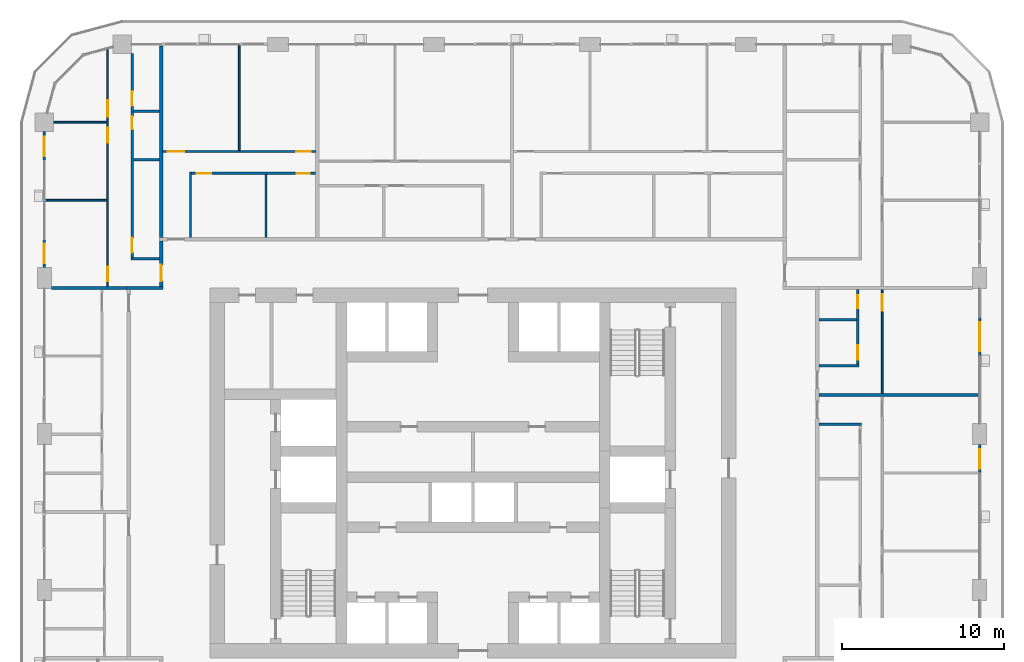
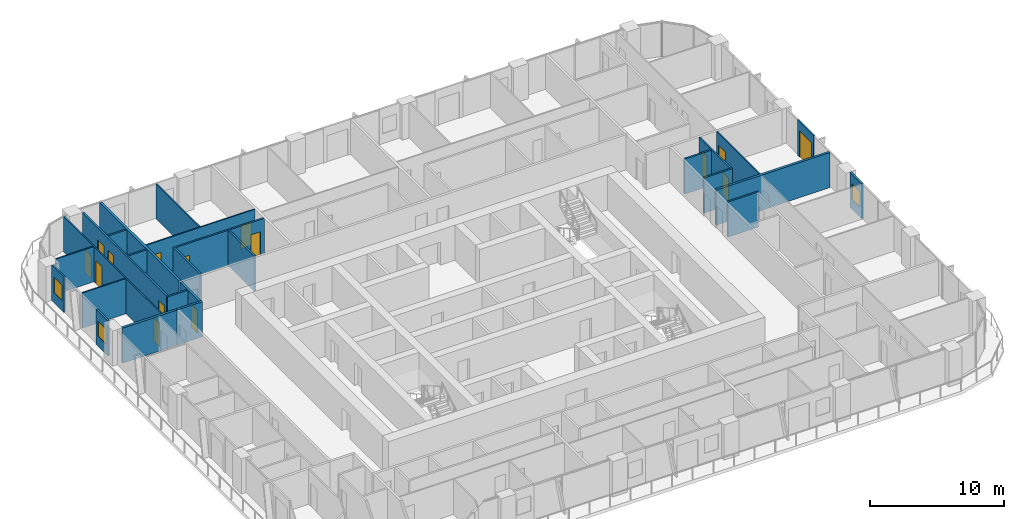
# One storey, part 13 of 21: 26 walls, 15 doors, 3 windows, 18 openings.
"""IFC4 building model written with IfcOpenShell, lengths in metres."""

from ifc_helpers import new_model, si_unit, direction, frame, frame_2d, origin, place, context, subcontext, project, spatial, rectangle, extrude, material, layer, layer_set, type_object, element, fill, save


model = new_model("IFC4")

# Units and contexts
model_context = context("Model", 3, precision=1e-05, world=origin(), true_north=direction((0.0, 1.0)))
body_context = subcontext(model_context, "Body", "Model", "MODEL_VIEW")
ifc_project = project(units=[si_unit("LENGTHUNIT", "METRE"), si_unit("AREAUNIT", "SQUARE_METRE"), si_unit("VOLUMEUNIT", "CUBIC_METRE"), si_unit("PLANEANGLEUNIT", "RADIAN"), si_unit("MASSUNIT", "GRAM", prefix="KILO")], contexts=[model_context])

# Site, building, storey
site_placement = place(None, origin())
site = spatial("IfcSite", under=ifc_project, at=site_placement, CompositionType="ELEMENT")
building_placement = place(site_placement, origin())
building = spatial("IfcBuilding", under=site, at=building_placement, Name="Madar Terraces", CompositionType="ELEMENT")
storey_placement = place(building_placement, frame((0.0, 0.0, 106.699951171875)))
storey = spatial("IfcBuildingStorey", under=building, at=storey_placement, Name="L27", CompositionType="ELEMENT", Elevation=106.699951171875)

# Wall, opening, window
ifc_material_1 = material(Name="Aluminium composite panel, black, over insulated backing", Category="aluminium")
ifc_layer_1 = layer(ifc_material_1, 0.14990234375)
ifc_layer_set_1 = layer_set([ifc_layer_1], Name="Facade bay panel 150")
wall_type_1 = type_object("IfcWallType", Name="Facade bay panel 150", PredefinedType="SOLIDWALL", material=ifc_layer_set_1)
wall_1_placement = place(storey_placement, frame((62.39990234375, 26.39990234375, 0.0), z_axis=(0.0, 0.0, 1.0), x_axis=(0.0, 1.0, 0.0)))
wall_1 = element("IfcWall", 1, at=wall_1_placement, inside=storey, type_object=wall_type_1, Name="Facade bay panel", PredefinedType="SOLIDWALL", context=body_context, shape_type="SweptSolid", body=[
    extrude(rectangle(XDim=1.75, YDim=0.14990234375, at=frame_2d((0.875, 0.0))), origin(), (0.0, 0.0, 1.0), 3.199951171875),
])
opening_1_placement = place(wall_1_placement, frame((0.27490234375, 0.0, 0.89990234375)))
opening_1 = element("IfcOpeningElement", 2, at=opening_1_placement, cuts=wall_1, Name="Opening W1", PredefinedType="OPENING", context=body_context, shape_type="SweptSolid", body=[
    extrude(rectangle(XDim=1.199951171875, YDim=1.39990234375, at=frame_2d((0.60009765625, 0.699951171875))), frame((0.0, 0.0849609375, 0.0), z_axis=(0.0, -1.0, 0.0), x_axis=(1.0, 0.0, 0.0)), (0.0, 0.0, 1.0), 0.169921875),
])
ifc_material_2 = material(Name="Glass, clear, with black aluminium frame", Category="aluminium")
window_type = type_object("IfcWindowType", Name="Vent window 1200 x 1400", PartitioningType="SINGLE_PANEL", PredefinedType="WINDOW", material=ifc_material_2)
window_1_placement = place(opening_1_placement, origin())
window_1 = element("IfcWindow", 3, at=window_1_placement, inside=storey, type_object=window_type, Name="Operable vent window", OverallHeight=1.39990234375, OverallWidth=1.199951171875, PartitioningType="SINGLE_PANEL", PredefinedType="WINDOW", context=body_context, shape_type="SweptSolid", body=[
    extrude(rectangle(XDim=1.199951171875, YDim=1.39990234375, at=frame_2d((0.60009765625, 0.699951171875))), frame((0.0, 0.030029296875, 0.0), z_axis=(0.0, -1.0, 0.0), x_axis=(1.0, 0.0, 0.0)), (0.0, 0.0, 1.0), 0.06005859375),
])
fill(opening_1, window_1)

# Wall, opening, door
wall_2_placement = place(storey_placement, frame((62.39990234375, 33.60009765625, 0.0), z_axis=(0.0, 0.0, 1.0), x_axis=(0.0, 1.0, 0.0)))
wall_2 = element("IfcWall", 4, at=wall_2_placement, inside=storey, type_object=wall_type_1, Name="Facade bay panel", PredefinedType="SOLIDWALL", context=body_context, shape_type="SweptSolid", body=[
    extrude(rectangle(XDim=2.39990234375, YDim=0.14990234375, at=frame_2d((1.199951171875, 0.0))), origin(), (0.0, 0.0, 1.0), 3.199951171875),
])
opening_2_placement = place(wall_2_placement, frame((0.300048828125, 0.0, 0.0)))
opening_2 = element("IfcOpeningElement", 5, at=opening_2_placement, cuts=wall_2, Name="Opening ED1", PredefinedType="OPENING", context=body_context, shape_type="SweptSolid", body=[
    extrude(rectangle(XDim=1.800048828125, YDim=2.39990234375, at=frame_2d((0.89990234375, 1.199951171875))), frame((0.0, 0.0849609375, 0.0), z_axis=(0.0, -1.0, 0.0), x_axis=(1.0, 0.0, 0.0)), (0.0, 0.0, 1.0), 0.169921875),
])
ifc_material_3 = material(Name="Glass, clear, with black aluminium frame", Category="aluminium")
door_type_1 = type_object("IfcDoorType", Name="Balcony and terrace sliding door 1800 x 2400", OperationType="SLIDING_TO_LEFT", PredefinedType="DOOR", material=ifc_material_3)
door_1_placement = place(opening_2_placement, origin())
door_1 = element("IfcDoor", 6, at=door_1_placement, inside=storey, type_object=door_type_1, Name="Balcony door", OperationType="SLIDING_TO_RIGHT", OverallHeight=2.39990234375, OverallWidth=1.800048828125, PredefinedType="DOOR", context=body_context, shape_type="SweptSolid", body=[
    extrude(rectangle(XDim=1.800048828125, YDim=2.39990234375, at=frame_2d((0.89990234375, 1.199951171875))), frame((0.0, 0.02490234375, 0.0), z_axis=(0.0, -1.0, 0.0), x_axis=(1.0, 0.0, 0.0)), (0.0, 0.0, 1.0), 0.050048828125),
])
fill(opening_2, door_1)

# Wall, opening, window
wall_3_placement = place(storey_placement, frame((4.800048828125, 47.425048828125, 0.0), z_axis=(0.0, 0.0, 1.0), x_axis=(0.0, -1.0, 0.0)))
wall_3 = element("IfcWall", 7, at=wall_3_placement, inside=storey, type_object=wall_type_1, Name="Facade bay panel", PredefinedType="SOLIDWALL", context=body_context, shape_type="SweptSolid", body=[
    extrude(rectangle(XDim=1.824951171875, YDim=0.14990234375, at=frame_2d((0.91259765625, 0.0))), origin(), (0.0, 0.0, 1.0), 3.199951171875),
])
opening_3_placement = place(wall_3_placement, frame((0.3125, 0.0, 0.89990234375)))
opening_3 = element("IfcOpeningElement", 8, at=opening_3_placement, cuts=wall_3, Name="Opening W1", PredefinedType="OPENING", context=body_context, shape_type="SweptSolid", body=[
    extrude(rectangle(XDim=1.199951171875, YDim=1.39990234375, at=frame_2d((0.60009765625, 0.699951171875))), frame((0.0, 0.0849609375, 0.0), z_axis=(0.0, -1.0, 0.0), x_axis=(1.0, 0.0, 0.0)), (0.0, 0.0, 1.0), 0.169921875),
])
window_2_placement = place(opening_3_placement, origin())
window_2 = element("IfcWindow", 9, at=window_2_placement, inside=storey, type_object=window_type, Name="Operable vent window", OverallHeight=1.39990234375, OverallWidth=1.199951171875, PartitioningType="SINGLE_PANEL", PredefinedType="WINDOW", context=body_context, shape_type="SweptSolid", body=[
    extrude(rectangle(XDim=1.199951171875, YDim=1.39990234375, at=frame_2d((0.60009765625, 0.699951171875))), frame((0.0, 0.030029296875, 0.0), z_axis=(0.0, -1.0, 0.0), x_axis=(1.0, 0.0, 0.0)), (0.0, 0.0, 1.0), 0.06005859375),
])
fill(opening_3, window_2)

wall_4_placement = place(storey_placement, frame((4.800048828125, 40.800048828125, 0.0), z_axis=(0.0, 0.0, 1.0), x_axis=(0.0, -1.0, 0.0)))
wall_4 = element("IfcWall", 10, at=wall_4_placement, inside=storey, type_object=wall_type_1, Name="Facade bay panel", PredefinedType="SOLIDWALL", context=body_context, shape_type="SweptSolid", body=[
    extrude(rectangle(XDim=1.75, YDim=0.14990234375, at=frame_2d((0.875, 0.0))), origin(), (0.0, 0.0, 1.0), 3.199951171875),
])
opening_4_placement = place(wall_4_placement, frame((0.27490234375, 0.0, 0.89990234375)))
opening_4 = element("IfcOpeningElement", 11, at=opening_4_placement, cuts=wall_4, Name="Opening W1", PredefinedType="OPENING", context=body_context, shape_type="SweptSolid", body=[
    extrude(rectangle(XDim=1.199951171875, YDim=1.39990234375, at=frame_2d((0.60009765625, 0.699951171875))), frame((0.0, 0.0849609375, 0.0), z_axis=(0.0, -1.0, 0.0), x_axis=(1.0, 0.0, 0.0)), (0.0, 0.0, 1.0), 0.169921875),
])
window_3_placement = place(opening_4_placement, origin())
window_3 = element("IfcWindow", 12, at=window_3_placement, inside=storey, type_object=window_type, Name="Operable vent window", OverallHeight=1.39990234375, OverallWidth=1.199951171875, PartitioningType="SINGLE_PANEL", PredefinedType="WINDOW", context=body_context, shape_type="SweptSolid", body=[
    extrude(rectangle(XDim=1.199951171875, YDim=1.39990234375, at=frame_2d((0.60009765625, 0.699951171875))), frame((0.0, 0.030029296875, 0.0), z_axis=(0.0, -1.0, 0.0), x_axis=(1.0, 0.0, 0.0)), (0.0, 0.0, 1.0), 0.06005859375),
])
fill(opening_4, window_3)

# Wall, opening, door
ifc_material_4 = material(Name="Gypsum board on steel studs", Category="steel")
ifc_layer_2 = layer(ifc_material_4, 0.10009765625)
ifc_layer_set_2 = layer_set([ifc_layer_2], Name="Flat partition 100")
wall_type_2 = type_object("IfcWallType", Name="Flat partition 100", PredefinedType="PARTITIONING", material=ifc_layer_set_2)
wall_5_placement = place(storey_placement, frame((56.39990234375, 37.699951171875, 0.0), z_axis=(0.0, 0.0, 1.0), x_axis=(0.0, -1.0, 0.0)))
wall_5 = element("IfcWall", 13, at=wall_5_placement, inside=storey, type_object=wall_type_2, Name="Flat partition 100", PredefinedType="PARTITIONING", context=body_context, shape_type="SweptSolid", body=[
    extrude(rectangle(XDim=6.39990234375, YDim=0.10009765625, at=frame_2d((3.199951171875, 0.0))), origin(), (0.0, 0.0, 1.0), 3.199951171875),
])
opening_5_placement = place(wall_5_placement, frame((0.300048828125, 0.0, 0.0)))
opening_5 = element("IfcOpeningElement", 14, at=opening_5_placement, cuts=wall_5, Name="Opening D3", PredefinedType="OPENING", context=body_context, shape_type="SweptSolid", body=[
    extrude(rectangle(XDim=1.0, YDim=2.10009765625, at=frame_2d((0.5, 1.050048828125))), frame((0.0, 0.06005859375, 0.0), z_axis=(0.0, -1.0, 0.0), x_axis=(1.0, 0.0, 0.0)), (0.0, 0.0, 1.0), 0.1201171875),
])
ifc_material_5 = material(Name="Timber door leaf", Category="wood")
door_type_2 = type_object("IfcDoorType", Name="Flat living room door 1000", OperationType="NOTDEFINED", PredefinedType="DOOR", material=ifc_material_5)
door_2_placement = place(opening_5_placement, origin())
door_2 = element("IfcDoor", 15, at=door_2_placement, inside=storey, type_object=door_type_2, Name="Flat living room door 1000", OperationType="SINGLE_SWING_LEFT", OverallHeight=2.10009765625, OverallWidth=1.0, PredefinedType="DOOR", context=body_context, shape_type="SweptSolid", body=[
    extrude(rectangle(XDim=1.0, YDim=2.10009765625, at=frame_2d((0.5, 1.050048828125))), frame((0.0, 0.02490234375, 0.0), z_axis=(0.0, -1.0, 0.0), x_axis=(1.0, 0.0, 0.0)), (0.0, 0.0, 1.0), 0.050048828125),
])
fill(opening_5, door_2)

# Wall
wall_6_placement = place(storey_placement, frame((16.800048828125, 46.25, 0.0), z_axis=(0.0, 0.0, 1.0), x_axis=(0.0, 1.0, 0.0)))
element("IfcWall", 16, at=wall_6_placement, inside=storey, type_object=wall_type_2, Name="Flat partition 100", PredefinedType="PARTITIONING", context=body_context, shape_type="SweptSolid", body=[
    extrude(rectangle(XDim=6.449951171875, YDim=0.10009765625, at=frame_2d((3.22509765625, 0.0))), origin(), (0.0, 0.0, 1.0), 3.199951171875),
])

# Wall, openings, doors
wall_7_placement = place(storey_placement, frame((12.10009765625, 46.199951171875, 0.0), z_axis=(0.0, 0.0, 1.0), x_axis=(1.0, 0.0, 0.0)))
wall_7 = element("IfcWall", 17, at=wall_7_placement, inside=storey, type_object=wall_type_2, Name="Flat partition 100", PredefinedType="PARTITIONING", context=body_context, shape_type="SweptSolid", body=[
    extrude(rectangle(XDim=9.39990234375, YDim=0.10009765625, at=frame_2d((4.699951171875, 0.0))), origin(), (0.0, 0.0, 1.0), 3.199951171875),
])
opening_6_placement = place(wall_7_placement, frame((0.300048828125, 0.0, 0.0)))
opening_6 = element("IfcOpeningElement", 18, at=opening_6_placement, cuts=wall_7, Name="Opening D3", PredefinedType="OPENING", context=body_context, shape_type="SweptSolid", body=[
    extrude(rectangle(XDim=1.0, YDim=2.10009765625, at=frame_2d((0.5, 1.050048828125))), frame((0.0, 0.06005859375, 0.0), z_axis=(0.0, -1.0, 0.0), x_axis=(1.0, 0.0, 0.0)), (0.0, 0.0, 1.0), 0.1201171875),
])
opening_7_placement = place(wall_7_placement, frame((8.199951171875, 0.0, 0.0)))
opening_7 = element("IfcOpeningElement", 19, at=opening_7_placement, cuts=wall_7, Name="Opening D2", PredefinedType="OPENING", context=body_context, shape_type="SweptSolid", body=[
    extrude(rectangle(XDim=0.89990234375, YDim=2.10009765625, at=frame_2d((0.449951171875, 1.050048828125))), frame((0.0, 0.06005859375, 0.0), z_axis=(0.0, -1.0, 0.0), x_axis=(1.0, 0.0, 0.0)), (0.0, 0.0, 1.0), 0.1201171875),
])
door_3_placement = place(opening_6_placement, origin())
door_3 = element("IfcDoor", 20, at=door_3_placement, inside=storey, type_object=door_type_2, Name="Flat living room door 1000", OperationType="SINGLE_SWING_LEFT", OverallHeight=2.10009765625, OverallWidth=1.0, PredefinedType="DOOR", context=body_context, shape_type="SweptSolid", body=[
    extrude(rectangle(XDim=1.0, YDim=2.10009765625, at=frame_2d((0.5, 1.050048828125))), frame((0.0, 0.02490234375, 0.0), z_axis=(0.0, -1.0, 0.0), x_axis=(1.0, 0.0, 0.0)), (0.0, 0.0, 1.0), 0.050048828125),
])
fill(opening_6, door_3)
ifc_material_6 = material(Name="Timber door leaf", Category="wood")
door_type_3 = type_object("IfcDoorType", Name="Flat room door 900", OperationType="NOTDEFINED", PredefinedType="DOOR", material=ifc_material_6)
door_4_placement = place(opening_7_placement, origin())
door_4 = element("IfcDoor", 21, at=door_4_placement, inside=storey, type_object=door_type_3, Name="Flat room door 900", OperationType="SINGLE_SWING_RIGHT", OverallHeight=2.10009765625, OverallWidth=0.89990234375, PredefinedType="DOOR", context=body_context, shape_type="SweptSolid", body=[
    extrude(rectangle(XDim=0.89990234375, YDim=2.10009765625, at=frame_2d((0.449951171875, 1.050048828125))), frame((0.0, 0.02490234375, 0.0), z_axis=(0.0, -1.0, 0.0), x_axis=(1.0, 0.0, 0.0)), (0.0, 0.0, 1.0), 0.050048828125),
])
fill(opening_7, door_4)

# Walls
wall_8_placement = place(storey_placement, frame((8.64990234375, 43.199951171875, 0.0), z_axis=(0.0, 0.0, 1.0), x_axis=(-1.0, 0.0, 0.0)))
element("IfcWall", 22, at=wall_8_placement, inside=storey, type_object=wall_type_2, Name="Flat partition 100", PredefinedType="PARTITIONING", context=body_context, shape_type="SweptSolid", body=[
    extrude(rectangle(XDim=3.75, YDim=0.10009765625, at=frame_2d((1.875, 0.0))), origin(), (0.0, 0.0, 1.0), 3.199951171875),
])
wall_9_placement = place(storey_placement, frame((8.64990234375, 48.0, 0.0), z_axis=(0.0, 0.0, 1.0), x_axis=(-1.0, 0.0, 0.0)))
element("IfcWall", 23, at=wall_9_placement, inside=storey, type_object=wall_type_2, Name="Flat partition 100", PredefinedType="PARTITIONING", context=body_context, shape_type="SweptSolid", body=[
    extrude(rectangle(XDim=3.27490234375, YDim=0.10009765625, at=frame_2d((1.637451171875, 0.0))), origin(), (0.0, 0.0, 1.0), 3.199951171875),
])

# Wall, openings, doors
wall_10_placement = place(storey_placement, frame((8.699951171875, 37.89990234375, 0.0), z_axis=(0.0, 0.0, 1.0), x_axis=(0.0, 1.0, 0.0)))
wall_10 = element("IfcWall", 24, at=wall_10_placement, inside=storey, type_object=wall_type_2, Name="Flat partition 100", PredefinedType="PARTITIONING", context=body_context, shape_type="SweptSolid", body=[
    extrude(rectangle(XDim=14.558837890625, YDim=0.10009765625, at=frame_2d((7.279296875, 0.0))), origin(), (0.0, 0.0, 1.0), 3.199951171875),
])
opening_8_placement = place(wall_10_placement, frame((0.300048828125, 0.0, 0.0)))
opening_8 = element("IfcOpeningElement", 25, at=opening_8_placement, cuts=wall_10, Name="Opening D2", PredefinedType="OPENING", context=body_context, shape_type="SweptSolid", body=[
    extrude(rectangle(XDim=0.89990234375, YDim=2.10009765625, at=frame_2d((0.449951171875, 1.050048828125))), frame((0.0, 0.06005859375, 0.0), z_axis=(0.0, -1.0, 0.0), x_axis=(1.0, 0.0, 0.0)), (0.0, 0.0, 1.0), 0.1201171875),
])
opening_9_placement = place(wall_10_placement, frame((8.85009765625, 0.0, 0.0)))
opening_9 = element("IfcOpeningElement", 26, at=opening_9_placement, cuts=wall_10, Name="Opening D2", PredefinedType="OPENING", context=body_context, shape_type="SweptSolid", body=[
    extrude(rectangle(XDim=0.89990234375, YDim=2.10009765625, at=frame_2d((0.449951171875, 1.050048828125))), frame((0.0, 0.06005859375, 0.0), z_axis=(0.0, -1.0, 0.0), x_axis=(1.0, 0.0, 0.0)), (0.0, 0.0, 1.0), 0.1201171875),
])
opening_10_placement = place(wall_10_placement, frame((10.449951171875, 0.0, 0.0)))
opening_10 = element("IfcOpeningElement", 27, at=opening_10_placement, cuts=wall_10, Name="Opening D3", PredefinedType="OPENING", context=body_context, shape_type="SweptSolid", body=[
    extrude(rectangle(XDim=1.0, YDim=2.10009765625, at=frame_2d((0.5, 1.050048828125))), frame((0.0, 0.06005859375, 0.0), z_axis=(0.0, -1.0, 0.0), x_axis=(1.0, 0.0, 0.0)), (0.0, 0.0, 1.0), 0.1201171875),
])
door_5_placement = place(opening_10_placement, origin())
door_5 = element("IfcDoor", 28, at=door_5_placement, inside=storey, type_object=door_type_2, Name="Flat living room door 1000", OperationType="SINGLE_SWING_LEFT", OverallHeight=2.10009765625, OverallWidth=1.0, PredefinedType="DOOR", context=body_context, shape_type="SweptSolid", body=[
    extrude(rectangle(XDim=1.0, YDim=2.10009765625, at=frame_2d((0.5, 1.050048828125))), frame((0.0, 0.02490234375, 0.0), z_axis=(0.0, -1.0, 0.0), x_axis=(1.0, 0.0, 0.0)), (0.0, 0.0, 1.0), 0.050048828125),
])
fill(opening_10, door_5)
door_6_placement = place(opening_8_placement, origin())
door_6 = element("IfcDoor", 29, at=door_6_placement, inside=storey, type_object=door_type_3, Name="Flat room door 900", OperationType="SINGLE_SWING_LEFT", OverallHeight=2.10009765625, OverallWidth=0.89990234375, PredefinedType="DOOR", context=body_context, shape_type="SweptSolid", body=[
    extrude(rectangle(XDim=0.89990234375, YDim=2.10009765625, at=frame_2d((0.449951171875, 1.050048828125))), frame((0.0, 0.02490234375, 0.0), z_axis=(0.0, -1.0, 0.0), x_axis=(1.0, 0.0, 0.0)), (0.0, 0.0, 1.0), 0.050048828125),
])
fill(opening_8, door_6)
door_7_placement = place(opening_9_placement, origin())
door_7 = element("IfcDoor", 30, at=door_7_placement, inside=storey, type_object=door_type_3, Name="Flat room door 900", OperationType="SINGLE_SWING_RIGHT", OverallHeight=2.10009765625, OverallWidth=0.89990234375, PredefinedType="DOOR", context=body_context, shape_type="SweptSolid", body=[
    extrude(rectangle(XDim=0.89990234375, YDim=2.10009765625, at=frame_2d((0.449951171875, 1.050048828125))), frame((0.0, 0.02490234375, 0.0), z_axis=(0.0, -1.0, 0.0), x_axis=(1.0, 0.0, 0.0)), (0.0, 0.0, 1.0), 0.050048828125),
])
fill(opening_9, door_7)

# Wall, opening, door
ifc_material_7 = material(Name="Lightweight blockwork", Category="masonry")
ifc_layer_3 = layer(ifc_material_7, 0.199951171875)
ifc_layer_set_3 = layer_set([ifc_layer_3], Name="Flat party and entrance wall 200")
wall_type_3 = type_object("IfcWallType", Name="Flat party and entrance wall 200", PredefinedType="PARTITIONING", material=ifc_layer_set_3)
wall_11_placement = place(storey_placement, frame((12.0, 37.89990234375, 0.0), z_axis=(0.0, 0.0, 1.0), x_axis=(0.0, 1.0, 0.0)))
wall_11 = element("IfcWall", 31, at=wall_11_placement, inside=storey, type_object=wall_type_3, Name="Flat party and entrance wall 200", PredefinedType="PARTITIONING", context=body_context, shape_type="SweptSolid", body=[
    extrude(rectangle(XDim=2.800048828125, YDim=0.199951171875, at=frame_2d((1.39990234375, 0.0))), origin(), (0.0, 0.0, 1.0), 3.199951171875),
])
opening_11_placement = place(wall_11_placement, frame((0.324951171875, 0.0, 0.0)))
opening_11 = element("IfcOpeningElement", 32, at=opening_11_placement, cuts=wall_11, Name="Opening D1", PredefinedType="OPENING", context=body_context, shape_type="SweptSolid", body=[
    extrude(rectangle(XDim=1.0, YDim=2.10009765625, at=frame_2d((0.5, 1.050048828125))), frame((0.0, 0.10986328125, 0.0), z_axis=(0.0, -1.0, 0.0), x_axis=(1.0, 0.0, 0.0)), (0.0, 0.0, 1.0), 0.219970703125),
])
ifc_material_8 = material(Name="Timber fire door leaf", Category="wood")
door_type_4 = type_object("IfcDoorType", Name="Flat entrance door 1000 FD30S", OperationType="NOTDEFINED", PredefinedType="DOOR", material=ifc_material_8)
door_8_placement = place(opening_11_placement, origin())
door_8 = element("IfcDoor", 33, at=door_8_placement, inside=storey, type_object=door_type_4, Name="Flat entrance door 1000 FD30S", OperationType="SINGLE_SWING_LEFT", OverallHeight=2.10009765625, OverallWidth=1.0, PredefinedType="DOOR", context=body_context, shape_type="SweptSolid", body=[
    extrude(rectangle(XDim=1.0, YDim=2.10009765625, at=frame_2d((0.5, 1.050048828125))), frame((0.0, 0.02490234375, 0.0), z_axis=(0.0, -1.0, 0.0), x_axis=(1.0, 0.0, 0.0)), (0.0, 0.0, 1.0), 0.050048828125),
])
fill(opening_11, door_8)

# Walls
wall_12_placement = place(storey_placement, frame((12.10009765625, 37.800048828125, 0.0), z_axis=(0.0, 0.0, 1.0), x_axis=(-1.0, 0.0, 0.0)))
element("IfcWall", 34, at=wall_12_placement, inside=storey, type_object=wall_type_3, Name="Flat party and entrance wall 200", PredefinedType="PARTITIONING", context=body_context, shape_type="SweptSolid", body=[
    extrude(rectangle(XDim=2.2001953125, YDim=0.199951171875, at=frame_2d((1.10009765625, 0.0))), origin(), (0.0, 0.0, 1.0), 3.199951171875),
])
wall_13_placement = place(storey_placement, frame((52.5, 31.199951171875, 0.0), z_axis=(0.0, 0.0, 1.0), x_axis=(1.0, 0.0, 0.0)))
element("IfcWall", 35, at=wall_13_placement, inside=storey, type_object=wall_type_3, Name="Flat party and entrance wall 200", PredefinedType="PARTITIONING", context=body_context, shape_type="SweptSolid", body=[
    extrude(rectangle(XDim=9.800048828125, YDim=0.199951171875, at=frame_2d((4.89990234375, 0.0))), origin(), (0.0, 0.0, 1.0), 3.199951171875),
])
wall_14_placement = place(storey_placement, frame((12.0, 52.699951171875, 0.0), z_axis=(0.0, 0.0, 1.0), x_axis=(0.0, -1.0, 0.0)))
element("IfcWall", 36, at=wall_14_placement, inside=storey, type_object=wall_type_3, Name="Flat party and entrance wall 200", PredefinedType="PARTITIONING", context=body_context, shape_type="SweptSolid", body=[
    extrude(rectangle(XDim=11.800048828125, YDim=0.199951171875, at=frame_2d((5.89990234375, 0.0))), origin(), (0.0, 0.0, 1.0), 3.199951171875),
])
wall_15_placement = place(storey_placement, frame((5.22509765625, 37.800048828125, 0.0), z_axis=(0.0, 0.0, 1.0), x_axis=(1.0, 0.0, 0.0)))
element("IfcWall", 37, at=wall_15_placement, inside=storey, type_object=wall_type_3, Name="Flat party and entrance wall 200", PredefinedType="PARTITIONING", context=body_context, shape_type="SweptSolid", body=[
    extrude(rectangle(XDim=4.6748046875, YDim=0.199951171875, at=frame_2d((2.33740234375, 0.0))), origin(), (0.0, 0.0, 1.0), 3.199951171875),
])
ifc_material_9 = material(Name="Lightweight blockwork", Category="masonry")
ifc_layer_4 = layer(ifc_material_9, 0.14990234375)
ifc_layer_set_4 = layer_set([ifc_layer_4], Name="Flat wet-room partition 150")
wall_type_4 = type_object("IfcWallType", Name="Flat wet-room partition 150", PredefinedType="PARTITIONING", material=ifc_layer_set_4)
wall_16_placement = place(storey_placement, frame((52.5, 29.39990234375, 0.0), z_axis=(0.0, 0.0, 1.0), x_axis=(1.0, 0.0, 0.0)))
element("IfcWall", 38, at=wall_16_placement, inside=storey, type_object=wall_type_4, Name="Flat wet-room partition 150", PredefinedType="PARTITIONING", context=body_context, shape_type="SweptSolid", body=[
    extrude(rectangle(XDim=2.625, YDim=0.14990234375, at=frame_2d((1.3125, 0.0))), origin(), (0.0, 0.0, 1.0), 3.199951171875),
])
wall_17_placement = place(storey_placement, frame((52.5, 35.85009765625, 0.0), z_axis=(0.0, 0.0, 1.0), x_axis=(1.0, 0.0, 0.0)))
element("IfcWall", 39, at=wall_17_placement, inside=storey, type_object=wall_type_4, Name="Flat wet-room partition 150", PredefinedType="PARTITIONING", context=body_context, shape_type="SweptSolid", body=[
    extrude(rectangle(XDim=2.324951171875, YDim=0.14990234375, at=frame_2d((1.16259765625, 0.0))), origin(), (0.0, 0.0, 1.0), 3.199951171875),
])
wall_18_placement = place(storey_placement, frame((52.5, 33.0, 0.0), z_axis=(0.0, 0.0, 1.0), x_axis=(1.0, 0.0, 0.0)))
element("IfcWall", 40, at=wall_18_placement, inside=storey, type_object=wall_type_4, Name="Flat wet-room partition 150", PredefinedType="PARTITIONING", context=body_context, shape_type="SweptSolid", body=[
    extrude(rectangle(XDim=2.47509765625, YDim=0.14990234375, at=frame_2d((1.237548828125, 0.0))), origin(), (0.0, 0.0, 1.0), 3.199951171875),
])

# Wall, openings, doors
wall_19_placement = place(storey_placement, frame((54.89990234375, 33.074951171875, 0.0), z_axis=(0.0, 0.0, 1.0), x_axis=(0.0, 1.0, 0.0)))
wall_19 = element("IfcWall", 41, at=wall_19_placement, inside=storey, type_object=wall_type_4, Name="Flat wet-room partition 150", PredefinedType="PARTITIONING", context=body_context, shape_type="SweptSolid", body=[
    extrude(rectangle(XDim=4.625, YDim=0.14990234375, at=frame_2d((2.3125, 0.0))), origin(), (0.0, 0.0, 1.0), 3.199951171875),
])
opening_12_placement = place(wall_19_placement, frame((0.300048828125, 0.0, 0.0)))
opening_12 = element("IfcOpeningElement", 42, at=opening_12_placement, cuts=wall_19, Name="Opening D2", PredefinedType="OPENING", context=body_context, shape_type="SweptSolid", body=[
    extrude(rectangle(XDim=0.89990234375, YDim=2.10009765625, at=frame_2d((0.449951171875, 1.050048828125))), frame((0.0, 0.0849609375, 0.0), z_axis=(0.0, -1.0, 0.0), x_axis=(1.0, 0.0, 0.0)), (0.0, 0.0, 1.0), 0.169921875),
])
opening_13_placement = place(wall_19_placement, frame((3.47509765625, 0.0, 0.0)))
opening_13 = element("IfcOpeningElement", 43, at=opening_13_placement, cuts=wall_19, Name="Opening D4", PredefinedType="OPENING", context=body_context, shape_type="SweptSolid", body=[
    extrude(rectangle(XDim=0.800048828125, YDim=2.10009765625, at=frame_2d((0.39990234375, 1.050048828125))), frame((0.0, 0.0849609375, 0.0), z_axis=(0.0, -1.0, 0.0), x_axis=(1.0, 0.0, 0.0)), (0.0, 0.0, 1.0), 0.169921875),
])
ifc_material_10 = material(Name="Timber door leaf", Category="wood")
door_type_5 = type_object("IfcDoorType", Name="Flat bathroom door 800", OperationType="NOTDEFINED", PredefinedType="DOOR", material=ifc_material_10)
door_9_placement = place(opening_13_placement, origin())
door_9 = element("IfcDoor", 44, at=door_9_placement, inside=storey, type_object=door_type_5, Name="Flat bathroom door 800", OperationType="SINGLE_SWING_RIGHT", OverallHeight=2.10009765625, OverallWidth=0.800048828125, PredefinedType="DOOR", context=body_context, shape_type="SweptSolid", body=[
    extrude(rectangle(XDim=0.800048828125, YDim=2.10009765625, at=frame_2d((0.39990234375, 1.050048828125))), frame((0.0, 0.02490234375, 0.0), z_axis=(0.0, -1.0, 0.0), x_axis=(1.0, 0.0, 0.0)), (0.0, 0.0, 1.0), 0.050048828125),
])
fill(opening_13, door_9)
door_10_placement = place(opening_12_placement, origin())
door_10 = element("IfcDoor", 45, at=door_10_placement, inside=storey, type_object=door_type_3, Name="Flat room door 900", OperationType="SINGLE_SWING_LEFT", OverallHeight=2.10009765625, OverallWidth=0.89990234375, PredefinedType="DOOR", context=body_context, shape_type="SweptSolid", body=[
    extrude(rectangle(XDim=0.89990234375, YDim=2.10009765625, at=frame_2d((0.449951171875, 1.050048828125))), frame((0.0, 0.02490234375, 0.0), z_axis=(0.0, -1.0, 0.0), x_axis=(1.0, 0.0, 0.0)), (0.0, 0.0, 1.0), 0.050048828125),
])
fill(opening_12, door_10)

# Walls
wall_20_placement = place(storey_placement, frame((18.449951171875, 40.89990234375, 0.0), z_axis=(0.0, 0.0, 1.0), x_axis=(0.0, 1.0, 0.0)))
element("IfcWall", 46, at=wall_20_placement, inside=storey, type_object=wall_type_4, Name="Flat wet-room partition 150", PredefinedType="PARTITIONING", context=body_context, shape_type="SweptSolid", body=[
    extrude(rectangle(XDim=3.875, YDim=0.14990234375, at=frame_2d((1.9375, 0.0))), origin(), (0.0, 0.0, 1.0), 3.199951171875),
])
wall_21_placement = place(storey_placement, frame((13.800048828125, 40.89990234375, 0.0), z_axis=(0.0, 0.0, 1.0), x_axis=(0.0, 1.0, 0.0)))
element("IfcWall", 47, at=wall_21_placement, inside=storey, type_object=wall_type_4, Name="Flat wet-room partition 150", PredefinedType="PARTITIONING", context=body_context, shape_type="SweptSolid", body=[
    extrude(rectangle(XDim=4.025146484375, YDim=0.14990234375, at=frame_2d((2.0126953125, 0.0))), origin(), (0.0, 0.0, 1.0), 3.199951171875),
])

# Wall, openings, doors
wall_22_placement = place(storey_placement, frame((21.5, 44.85009765625, 0.0), z_axis=(0.0, 0.0, 1.0), x_axis=(-1.0, 0.0, 0.0)))
wall_22 = element("IfcWall", 48, at=wall_22_placement, inside=storey, type_object=wall_type_4, Name="Flat wet-room partition 150", PredefinedType="PARTITIONING", context=body_context, shape_type="SweptSolid", body=[
    extrude(rectangle(XDim=7.625, YDim=0.14990234375, at=frame_2d((3.8125, 0.0))), origin(), (0.0, 0.0, 1.0), 3.199951171875),
])
opening_14_placement = place(wall_22_placement, frame((6.425048828125, 0.0, 0.0)))
opening_14 = element("IfcOpeningElement", 49, at=opening_14_placement, cuts=wall_22, Name="Opening D2", PredefinedType="OPENING", context=body_context, shape_type="SweptSolid", body=[
    extrude(rectangle(XDim=0.89990234375, YDim=2.10009765625, at=frame_2d((0.449951171875, 1.050048828125))), frame((0.0, 0.0849609375, 0.0), z_axis=(0.0, -1.0, 0.0), x_axis=(1.0, 0.0, 0.0)), (0.0, 0.0, 1.0), 0.169921875),
])
opening_15_placement = place(wall_22_placement, frame((0.35009765625, 0.0, 0.0)))
opening_15 = element("IfcOpeningElement", 50, at=opening_15_placement, cuts=wall_22, Name="Opening D4", PredefinedType="OPENING", context=body_context, shape_type="SweptSolid", body=[
    extrude(rectangle(XDim=0.800048828125, YDim=2.10009765625, at=frame_2d((0.39990234375, 1.050048828125))), frame((0.0, 0.0849609375, 0.0), z_axis=(0.0, -1.0, 0.0), x_axis=(1.0, 0.0, 0.0)), (0.0, 0.0, 1.0), 0.169921875),
])
door_11_placement = place(opening_15_placement, origin())
door_11 = element("IfcDoor", 51, at=door_11_placement, inside=storey, type_object=door_type_5, Name="Flat bathroom door 800", OperationType="SINGLE_SWING_LEFT", OverallHeight=2.10009765625, OverallWidth=0.800048828125, PredefinedType="DOOR", context=body_context, shape_type="SweptSolid", body=[
    extrude(rectangle(XDim=0.800048828125, YDim=2.10009765625, at=frame_2d((0.39990234375, 1.050048828125))), frame((0.0, 0.02490234375, 0.0), z_axis=(0.0, -1.0, 0.0), x_axis=(1.0, 0.0, 0.0)), (0.0, 0.0, 1.0), 0.050048828125),
])
fill(opening_15, door_11)
door_12_placement = place(opening_14_placement, origin())
door_12 = element("IfcDoor", 52, at=door_12_placement, inside=storey, type_object=door_type_3, Name="Flat room door 900", OperationType="SINGLE_SWING_RIGHT", OverallHeight=2.10009765625, OverallWidth=0.89990234375, PredefinedType="DOOR", context=body_context, shape_type="SweptSolid", body=[
    extrude(rectangle(XDim=0.89990234375, YDim=2.10009765625, at=frame_2d((0.449951171875, 1.050048828125))), frame((0.0, 0.02490234375, 0.0), z_axis=(0.0, -1.0, 0.0), x_axis=(1.0, 0.0, 0.0)), (0.0, 0.0, 1.0), 0.050048828125),
])
fill(opening_14, door_12)

# Walls
for number, where, z_axis, x_axis, name in (
    (53, (11.89990234375, 45.6865234375, 0.0), (0.0, 0.0, 1.0), (-1.0, 0.0, 0.0), "Flat wet-room partition 150"),
    (54, (11.89990234375, 48.6923828125, 0.0), (0.0, 0.0, 1.0), (-1.0, 0.0, 0.0), "Flat wet-room partition 150"),
):
    element("IfcWall", number, at=place(storey_placement, frame(where, z_axis=z_axis, x_axis=x_axis)), inside=storey, type_object=wall_type_4, Name=name, PredefinedType="PARTITIONING", context=body_context, shape_type="SweptSolid", body=[
        extrude(rectangle(XDim=1.625, YDim=0.14990234375, at=frame_2d((0.8125, 0.0))), origin(), (0.0, 0.0, 1.0), 3.199951171875),
    ])
wall_23_placement = place(storey_placement, frame((11.89990234375, 39.60009765625, 0.0), z_axis=(0.0, 0.0, 1.0), x_axis=(-1.0, 0.0, 0.0)))
element("IfcWall", 55, at=wall_23_placement, inside=storey, type_object=wall_type_4, Name="Flat wet-room partition 150", PredefinedType="PARTITIONING", context=body_context, shape_type="SweptSolid", body=[
    extrude(rectangle(XDim=1.77490234375, YDim=0.14990234375, at=frame_2d((0.887451171875, 0.0))), origin(), (0.0, 0.0, 1.0), 3.199951171875),
])

# Wall, openings, doors
wall_24_placement = place(storey_placement, frame((10.199951171875, 52.22509765625, 0.0), z_axis=(0.0, 0.0, 1.0), x_axis=(0.0, -1.0, 0.0)))
wall_24 = element("IfcWall", 56, at=wall_24_placement, inside=storey, type_object=wall_type_4, Name="Flat wet-room partition 150", PredefinedType="PARTITIONING", context=body_context, shape_type="SweptSolid", body=[
    extrude(rectangle(XDim=12.550048828125, YDim=0.14990234375, at=frame_2d((6.27490234375, 0.0))), origin(), (0.0, 0.0, 1.0), 3.199951171875),
])
opening_16_placement = place(wall_24_placement, frame((11.35009765625, 0.0, 0.0)))
opening_16 = element("IfcOpeningElement", 57, at=opening_16_placement, cuts=wall_24, Name="Opening D2", PredefinedType="OPENING", context=body_context, shape_type="SweptSolid", body=[
    extrude(rectangle(XDim=0.89990234375, YDim=2.10009765625, at=frame_2d((0.449951171875, 1.050048828125))), frame((0.0, 0.0849609375, 0.0), z_axis=(0.0, -1.0, 0.0), x_axis=(1.0, 0.0, 0.0)), (0.0, 0.0, 1.0), 0.169921875),
])
opening_17_placement = place(wall_24_placement, frame((3.857666015625, 0.0, 0.0)))
opening_17 = element("IfcOpeningElement", 58, at=opening_17_placement, cuts=wall_24, Name="Opening D4", PredefinedType="OPENING", context=body_context, shape_type="SweptSolid", body=[
    extrude(rectangle(XDim=0.800048828125, YDim=2.10009765625, at=frame_2d((0.39990234375, 1.050048828125))), frame((0.0, 0.0849609375, 0.0), z_axis=(0.0, -1.0, 0.0), x_axis=(1.0, 0.0, 0.0)), (0.0, 0.0, 1.0), 0.169921875),
])
opening_18_placement = place(wall_24_placement, frame((2.3076171875, 0.0, 0.0)))
opening_18 = element("IfcOpeningElement", 59, at=opening_18_placement, cuts=wall_24, Name="Opening D5", PredefinedType="OPENING", context=body_context, shape_type="SweptSolid", body=[
    extrude(rectangle(XDim=0.89990234375, YDim=2.10009765625, at=frame_2d((0.449951171875, 1.050048828125))), frame((0.0, 0.0849609375, 0.0), z_axis=(0.0, -1.0, 0.0), x_axis=(1.0, 0.0, 0.0)), (0.0, 0.0, 1.0), 0.169921875),
])
ifc_material_11 = material(Name="Timber door leaf", Category="wood")
door_type_6 = type_object("IfcDoorType", Name="Flat accessible bathroom door 900", OperationType="NOTDEFINED", PredefinedType="DOOR", material=ifc_material_11)
door_13_placement = place(opening_18_placement, origin())
door_13 = element("IfcDoor", 60, at=door_13_placement, inside=storey, type_object=door_type_6, Name="Flat accessible bathroom door 900", OperationType="SINGLE_SWING_RIGHT", OverallHeight=2.10009765625, OverallWidth=0.89990234375, PredefinedType="DOOR", context=body_context, shape_type="SweptSolid", body=[
    extrude(rectangle(XDim=0.89990234375, YDim=2.10009765625, at=frame_2d((0.449951171875, 1.050048828125))), frame((0.0, 0.02490234375, 0.0), z_axis=(0.0, -1.0, 0.0), x_axis=(1.0, 0.0, 0.0)), (0.0, 0.0, 1.0), 0.050048828125),
])
fill(opening_18, door_13)
door_14_placement = place(opening_17_placement, origin())
door_14 = element("IfcDoor", 61, at=door_14_placement, inside=storey, type_object=door_type_5, Name="Flat bathroom door 800", OperationType="SINGLE_SWING_LEFT", OverallHeight=2.10009765625, OverallWidth=0.800048828125, PredefinedType="DOOR", context=body_context, shape_type="SweptSolid", body=[
    extrude(rectangle(XDim=0.800048828125, YDim=2.10009765625, at=frame_2d((0.39990234375, 1.050048828125))), frame((0.0, 0.02490234375, 0.0), z_axis=(0.0, -1.0, 0.0), x_axis=(1.0, 0.0, 0.0)), (0.0, 0.0, 1.0), 0.050048828125),
])
fill(opening_17, door_14)
door_15_placement = place(opening_16_placement, origin())
door_15 = element("IfcDoor", 62, at=door_15_placement, inside=storey, type_object=door_type_3, Name="Flat room door 900", OperationType="SINGLE_SWING_RIGHT", OverallHeight=2.10009765625, OverallWidth=0.89990234375, PredefinedType="DOOR", context=body_context, shape_type="SweptSolid", body=[
    extrude(rectangle(XDim=0.89990234375, YDim=2.10009765625, at=frame_2d((0.449951171875, 1.050048828125))), frame((0.0, 0.02490234375, 0.0), z_axis=(0.0, -1.0, 0.0), x_axis=(1.0, 0.0, 0.0)), (0.0, 0.0, 1.0), 0.050048828125),
])
fill(opening_16, door_15)

save(model, "model.ifc")
